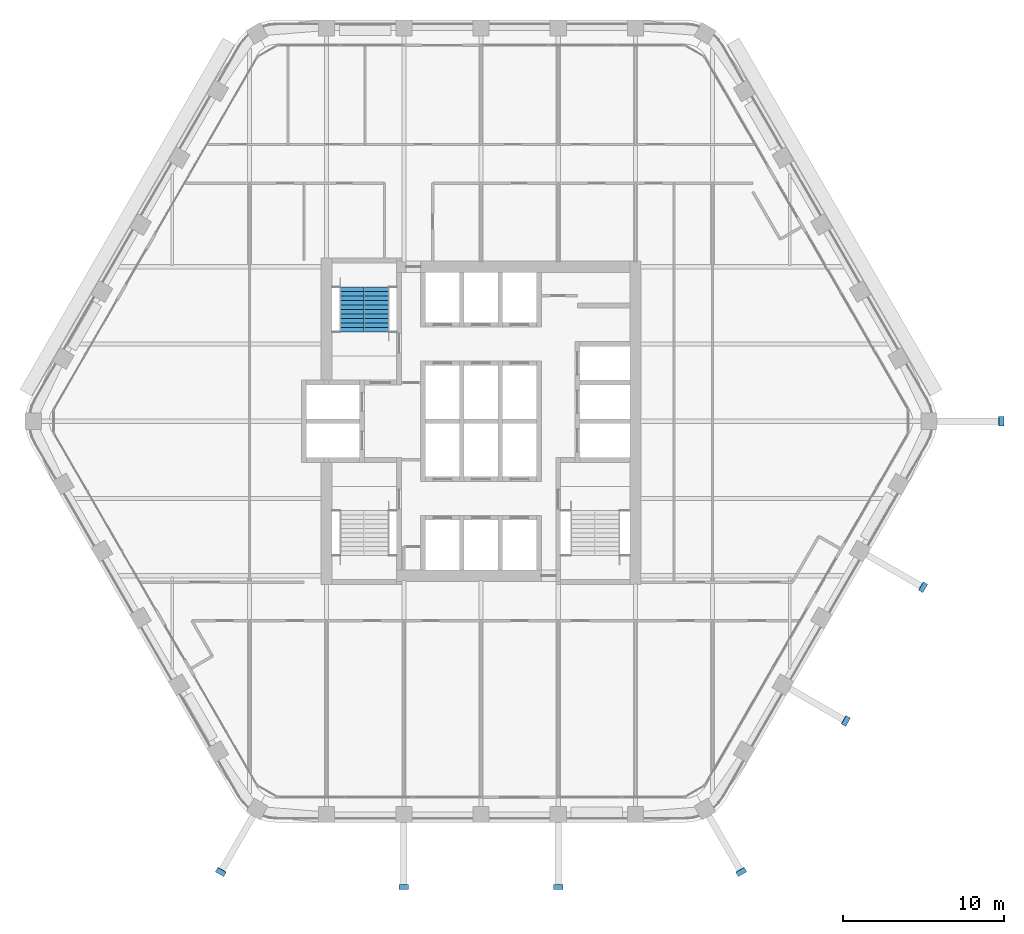
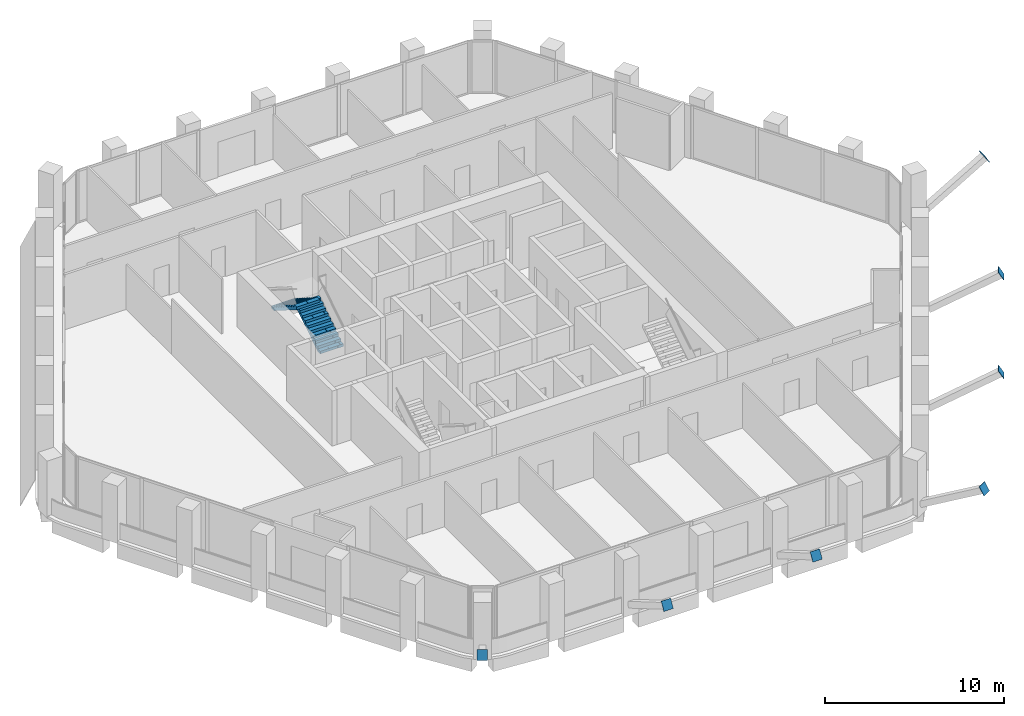
# One storey, part 14 of 16: 7 discrete accessories, 2 stair flights, 1 element without a shape of its own.
"""IFC4 building model written with IfcOpenShell, lengths in metres."""

from ifc_helpers import new_model, si_unit, direction, frame, origin, origin_2d, place, context, subcontext, project, spatial, polyline, rectangle, outline, extrude, material, type_object, element, aggregate, save


model = new_model("IFC4")

# Units and contexts
model_context = context("Model", 3, precision=1e-05, world=origin(), true_north=direction((0.0, 1.0)))
body_context = subcontext(model_context, "Body", "Model", "MODEL_VIEW")
ifc_project = project(units=[si_unit("LENGTHUNIT", "METRE"), si_unit("AREAUNIT", "SQUARE_METRE"), si_unit("VOLUMEUNIT", "CUBIC_METRE"), si_unit("PLANEANGLEUNIT", "RADIAN"), si_unit("MASSUNIT", "GRAM", prefix="KILO")], contexts=[model_context])

# Site, building, storey
site_placement = place(None, origin())
site = spatial("IfcSite", under=ifc_project, at=site_placement, CompositionType="ELEMENT")
building_placement = place(site_placement, origin())
building = spatial("IfcBuilding", under=site, at=building_placement, Name="Kolab Exchange Tower", CompositionType="ELEMENT")
storey_placement = place(building_placement, frame((0.0, 0.0, 193.39990234375)))
storey = spatial("IfcBuildingStorey", under=building, at=storey_placement, Name="L41", CompositionType="ELEMENT", Elevation=193.39990234375)

# Stair, stair flights
ifc_material = material(Name="Concrete C50/60", Category="concrete")
stair_type = type_object("IfcStairType", Name="STAIR ST1 RISER 177.3", PredefinedType="HALF_TURN_STAIR", material=ifc_material)
stair_placement = place(storey_placement, origin())
stair = element("IfcStair", 1, at=stair_placement, inside=storey, type_object=stair_type, Name="Stair 1", PredefinedType="HALF_TURN_STAIR")
stair_flight_type = type_object("IfcStairFlightType", Name="STAIR FLIGHT 1500 RISER 177.3", PredefinedType="STRAIGHT", material=ifc_material)
stair_flight_1_placement = place(storey_placement, frame((-6.489990234375, 5.550048828125, 0.0), z_axis=(0.0, 0.0, 1.0), x_axis=(0.0, 1.0, 0.0)))
stair_flight_1 = element("IfcStairFlight", 2, at=stair_flight_1_placement, type_object=stair_flight_type, Name="ST1 flight 1", NumberOfRisers=11, NumberOfTreads=10, PredefinedType="STRAIGHT", RiserHeight=0.177272727, TreadLength=0.28, context=body_context, shape_type="SweptSolid", body=[
    extrude(outline(polyline([(0.0, 0.0), (0.0, 0.17724609375), (0.280029296875, 0.17724609375), (0.280029296875, 0.3544921875), (0.56005859375, 0.3544921875), (0.56005859375, 0.53173828125), (0.840087890625, 0.53173828125), (0.840087890625, 0.708984375), (1.1201171875, 0.708984375), (1.1201171875, 0.886474609375), (1.39990234375, 0.886474609375), (1.39990234375, 1.063720703125), (1.679931640625, 1.063720703125), (1.679931640625, 1.240966796875), (1.9599609375, 1.240966796875), (1.9599609375, 1.418212890625), (2.239990234375, 1.418212890625), (2.239990234375, 1.595458984375), (2.52001953125, 1.595458984375), (2.52001953125, 1.772705078125), (2.800048828125, 1.772705078125), (2.800048828125, 1.949951171875), (2.800048828125, 1.59521484375), (0.2802734375, 0.0), (0.0, 0.0)])), frame((0.0, 0.75, 0.0), z_axis=(0.0, -1.0, 0.0), x_axis=(1.0, 0.0, 0.0)), (0.0, 0.0, 1.0), 0.185791015625),
    extrude(outline(polyline([(0.0, 0.0), (0.0, 0.17724609375), (0.280029296875, 0.17724609375), (0.280029296875, 0.3544921875), (0.56005859375, 0.3544921875), (0.56005859375, 0.53173828125), (0.840087890625, 0.53173828125), (0.840087890625, 0.708984375), (1.1201171875, 0.708984375), (1.1201171875, 0.886474609375), (1.39990234375, 0.886474609375), (1.39990234375, 1.063720703125), (1.679931640625, 1.063720703125), (1.679931640625, 1.240966796875), (1.9599609375, 1.240966796875), (1.9599609375, 1.418212890625), (2.239990234375, 1.418212890625), (2.239990234375, 1.595458984375), (2.52001953125, 1.595458984375), (2.52001953125, 1.772705078125), (2.800048828125, 1.772705078125), (2.800048828125, 1.949951171875), (2.800048828125, 1.59521484375), (0.2802734375, 0.0), (0.0, 0.0)])), frame((0.0, 0.562255859375, 0.0), z_axis=(0.0, -1.0, 0.0), x_axis=(1.0, 0.0, 0.0)), (0.0, 0.0, 1.0), 0.185791015625),
    extrude(outline(polyline([(0.0, 0.0), (0.0, 0.17724609375), (0.280029296875, 0.17724609375), (0.280029296875, 0.3544921875), (0.56005859375, 0.3544921875), (0.56005859375, 0.53173828125), (0.840087890625, 0.53173828125), (0.840087890625, 0.708984375), (1.1201171875, 0.708984375), (1.1201171875, 0.886474609375), (1.39990234375, 0.886474609375), (1.39990234375, 1.063720703125), (1.679931640625, 1.063720703125), (1.679931640625, 1.240966796875), (1.9599609375, 1.240966796875), (1.9599609375, 1.418212890625), (2.239990234375, 1.418212890625), (2.239990234375, 1.595458984375), (2.52001953125, 1.595458984375), (2.52001953125, 1.772705078125), (2.800048828125, 1.772705078125), (2.800048828125, 1.949951171875), (2.800048828125, 1.59521484375), (0.2802734375, 0.0), (0.0, 0.0)])), frame((0.0, 0.37451171875, 0.0), z_axis=(0.0, -1.0, 0.0), x_axis=(1.0, 0.0, 0.0)), (0.0, 0.0, 1.0), 0.185791015625),
    extrude(outline(polyline([(0.0, 0.0), (0.0, 0.17724609375), (0.280029296875, 0.17724609375), (0.280029296875, 0.3544921875), (0.56005859375, 0.3544921875), (0.56005859375, 0.53173828125), (0.840087890625, 0.53173828125), (0.840087890625, 0.708984375), (1.1201171875, 0.708984375), (1.1201171875, 0.886474609375), (1.39990234375, 0.886474609375), (1.39990234375, 1.063720703125), (1.679931640625, 1.063720703125), (1.679931640625, 1.240966796875), (1.9599609375, 1.240966796875), (1.9599609375, 1.418212890625), (2.239990234375, 1.418212890625), (2.239990234375, 1.595458984375), (2.52001953125, 1.595458984375), (2.52001953125, 1.772705078125), (2.800048828125, 1.772705078125), (2.800048828125, 1.949951171875), (2.800048828125, 1.59521484375), (0.2802734375, 0.0), (0.0, 0.0)])), frame((0.0, 0.186767578125, 0.0), z_axis=(0.0, -1.0, 0.0), x_axis=(1.0, 0.0, 0.0)), (0.0, 0.0, 1.0), 0.185791015625),
    extrude(outline(polyline([(0.0, 0.0), (0.0, 0.17724609375), (0.280029296875, 0.17724609375), (0.280029296875, 0.3544921875), (0.56005859375, 0.3544921875), (0.56005859375, 0.53173828125), (0.840087890625, 0.53173828125), (0.840087890625, 0.708984375), (1.1201171875, 0.708984375), (1.1201171875, 0.886474609375), (1.39990234375, 0.886474609375), (1.39990234375, 1.063720703125), (1.679931640625, 1.063720703125), (1.679931640625, 1.240966796875), (1.9599609375, 1.240966796875), (1.9599609375, 1.418212890625), (2.239990234375, 1.418212890625), (2.239990234375, 1.595458984375), (2.52001953125, 1.595458984375), (2.52001953125, 1.772705078125), (2.800048828125, 1.772705078125), (2.800048828125, 1.949951171875), (2.800048828125, 1.59521484375), (0.2802734375, 0.0), (0.0, 0.0)])), frame((0.0, -0.0009765625, 0.0), z_axis=(0.0, -1.0, 0.0), x_axis=(1.0, 0.0, 0.0)), (0.0, 0.0, 1.0), 0.185791015625),
    extrude(outline(polyline([(0.0, 0.0), (0.0, 0.17724609375), (0.280029296875, 0.17724609375), (0.280029296875, 0.3544921875), (0.56005859375, 0.3544921875), (0.56005859375, 0.53173828125), (0.840087890625, 0.53173828125), (0.840087890625, 0.708984375), (1.1201171875, 0.708984375), (1.1201171875, 0.886474609375), (1.39990234375, 0.886474609375), (1.39990234375, 1.063720703125), (1.679931640625, 1.063720703125), (1.679931640625, 1.240966796875), (1.9599609375, 1.240966796875), (1.9599609375, 1.418212890625), (2.239990234375, 1.418212890625), (2.239990234375, 1.595458984375), (2.52001953125, 1.595458984375), (2.52001953125, 1.772705078125), (2.800048828125, 1.772705078125), (2.800048828125, 1.949951171875), (2.800048828125, 1.59521484375), (0.2802734375, 0.0), (0.0, 0.0)])), frame((0.0, -0.188720703125, 0.0), z_axis=(0.0, -1.0, 0.0), x_axis=(1.0, 0.0, 0.0)), (0.0, 0.0, 1.0), 0.185791015625),
    extrude(outline(polyline([(0.0, 0.0), (0.0, 0.17724609375), (0.280029296875, 0.17724609375), (0.280029296875, 0.3544921875), (0.56005859375, 0.3544921875), (0.56005859375, 0.53173828125), (0.840087890625, 0.53173828125), (0.840087890625, 0.708984375), (1.1201171875, 0.708984375), (1.1201171875, 0.886474609375), (1.39990234375, 0.886474609375), (1.39990234375, 1.063720703125), (1.679931640625, 1.063720703125), (1.679931640625, 1.240966796875), (1.9599609375, 1.240966796875), (1.9599609375, 1.418212890625), (2.239990234375, 1.418212890625), (2.239990234375, 1.595458984375), (2.52001953125, 1.595458984375), (2.52001953125, 1.772705078125), (2.800048828125, 1.772705078125), (2.800048828125, 1.949951171875), (2.800048828125, 1.59521484375), (0.2802734375, 0.0), (0.0, 0.0)])), frame((0.0, -0.37646484375, 0.0), z_axis=(0.0, -1.0, 0.0), x_axis=(1.0, 0.0, 0.0)), (0.0, 0.0, 1.0), 0.185791015625),
    extrude(outline(polyline([(0.0, 0.0), (0.0, 0.17724609375), (0.280029296875, 0.17724609375), (0.280029296875, 0.3544921875), (0.56005859375, 0.3544921875), (0.56005859375, 0.53173828125), (0.840087890625, 0.53173828125), (0.840087890625, 0.708984375), (1.1201171875, 0.708984375), (1.1201171875, 0.886474609375), (1.39990234375, 0.886474609375), (1.39990234375, 1.063720703125), (1.679931640625, 1.063720703125), (1.679931640625, 1.240966796875), (1.9599609375, 1.240966796875), (1.9599609375, 1.418212890625), (2.239990234375, 1.418212890625), (2.239990234375, 1.595458984375), (2.52001953125, 1.595458984375), (2.52001953125, 1.772705078125), (2.800048828125, 1.772705078125), (2.800048828125, 1.949951171875), (2.800048828125, 1.59521484375), (0.2802734375, 0.0), (0.0, 0.0)])), frame((0.0, -0.564208984375, 0.0), z_axis=(0.0, -1.0, 0.0), x_axis=(1.0, 0.0, 0.0)), (0.0, 0.0, 1.0), 0.185791015625),
])
stair_flight_2_placement = place(storey_placement, frame((-8.010009765625, 8.35009765625, 1.9501953125), z_axis=(0.0, 0.0, 1.0), x_axis=(0.0, -1.0, 0.0)))
stair_flight_2 = element("IfcStairFlight", 3, at=stair_flight_2_placement, type_object=stair_flight_type, Name="ST1 flight 2", NumberOfRisers=11, NumberOfTreads=10, PredefinedType="STRAIGHT", RiserHeight=0.177272727, TreadLength=0.28, context=body_context, shape_type="SweptSolid", body=[
    extrude(outline(polyline([(0.0, 0.0), (0.0, 0.17724609375), (0.280029296875, 0.17724609375), (0.280029296875, 0.3544921875), (0.56005859375, 0.3544921875), (0.56005859375, 0.53173828125), (0.840087890625, 0.53173828125), (0.840087890625, 0.708984375), (1.1201171875, 0.708984375), (1.1201171875, 0.886474609375), (1.39990234375, 0.886474609375), (1.39990234375, 1.063720703125), (1.679931640625, 1.063720703125), (1.679931640625, 1.240966796875), (1.9599609375, 1.240966796875), (1.9599609375, 1.418212890625), (2.239990234375, 1.418212890625), (2.239990234375, 1.595458984375), (2.52001953125, 1.595458984375), (2.52001953125, 1.772705078125), (2.800048828125, 1.772705078125), (2.800048828125, 1.949951171875), (2.800048828125, 1.59521484375), (0.2802734375, 0.0), (0.0, 0.0)])), frame((0.0, 0.75, 0.0), z_axis=(0.0, -1.0, 0.0), x_axis=(1.0, 0.0, 0.0)), (0.0, 0.0, 1.0), 0.185791015625),
    extrude(outline(polyline([(0.0, 0.0), (0.0, 0.17724609375), (0.280029296875, 0.17724609375), (0.280029296875, 0.3544921875), (0.56005859375, 0.3544921875), (0.56005859375, 0.53173828125), (0.840087890625, 0.53173828125), (0.840087890625, 0.708984375), (1.1201171875, 0.708984375), (1.1201171875, 0.886474609375), (1.39990234375, 0.886474609375), (1.39990234375, 1.063720703125), (1.679931640625, 1.063720703125), (1.679931640625, 1.240966796875), (1.9599609375, 1.240966796875), (1.9599609375, 1.418212890625), (2.239990234375, 1.418212890625), (2.239990234375, 1.595458984375), (2.52001953125, 1.595458984375), (2.52001953125, 1.772705078125), (2.800048828125, 1.772705078125), (2.800048828125, 1.949951171875), (2.800048828125, 1.59521484375), (0.2802734375, 0.0), (0.0, 0.0)])), frame((0.0, 0.562255859375, 0.0), z_axis=(0.0, -1.0, 0.0), x_axis=(1.0, 0.0, 0.0)), (0.0, 0.0, 1.0), 0.185791015625),
    extrude(outline(polyline([(0.0, 0.0), (0.0, 0.17724609375), (0.280029296875, 0.17724609375), (0.280029296875, 0.3544921875), (0.56005859375, 0.3544921875), (0.56005859375, 0.53173828125), (0.840087890625, 0.53173828125), (0.840087890625, 0.708984375), (1.1201171875, 0.708984375), (1.1201171875, 0.886474609375), (1.39990234375, 0.886474609375), (1.39990234375, 1.063720703125), (1.679931640625, 1.063720703125), (1.679931640625, 1.240966796875), (1.9599609375, 1.240966796875), (1.9599609375, 1.418212890625), (2.239990234375, 1.418212890625), (2.239990234375, 1.595458984375), (2.52001953125, 1.595458984375), (2.52001953125, 1.772705078125), (2.800048828125, 1.772705078125), (2.800048828125, 1.949951171875), (2.800048828125, 1.59521484375), (0.2802734375, 0.0), (0.0, 0.0)])), frame((0.0, 0.37451171875, 0.0), z_axis=(0.0, -1.0, 0.0), x_axis=(1.0, 0.0, 0.0)), (0.0, 0.0, 1.0), 0.185791015625),
    extrude(outline(polyline([(0.0, 0.0), (0.0, 0.17724609375), (0.280029296875, 0.17724609375), (0.280029296875, 0.3544921875), (0.56005859375, 0.3544921875), (0.56005859375, 0.53173828125), (0.840087890625, 0.53173828125), (0.840087890625, 0.708984375), (1.1201171875, 0.708984375), (1.1201171875, 0.886474609375), (1.39990234375, 0.886474609375), (1.39990234375, 1.063720703125), (1.679931640625, 1.063720703125), (1.679931640625, 1.240966796875), (1.9599609375, 1.240966796875), (1.9599609375, 1.418212890625), (2.239990234375, 1.418212890625), (2.239990234375, 1.595458984375), (2.52001953125, 1.595458984375), (2.52001953125, 1.772705078125), (2.800048828125, 1.772705078125), (2.800048828125, 1.949951171875), (2.800048828125, 1.59521484375), (0.2802734375, 0.0), (0.0, 0.0)])), frame((0.0, 0.186767578125, 0.0), z_axis=(0.0, -1.0, 0.0), x_axis=(1.0, 0.0, 0.0)), (0.0, 0.0, 1.0), 0.185791015625),
    extrude(outline(polyline([(0.0, 0.0), (0.0, 0.17724609375), (0.280029296875, 0.17724609375), (0.280029296875, 0.3544921875), (0.56005859375, 0.3544921875), (0.56005859375, 0.53173828125), (0.840087890625, 0.53173828125), (0.840087890625, 0.708984375), (1.1201171875, 0.708984375), (1.1201171875, 0.886474609375), (1.39990234375, 0.886474609375), (1.39990234375, 1.063720703125), (1.679931640625, 1.063720703125), (1.679931640625, 1.240966796875), (1.9599609375, 1.240966796875), (1.9599609375, 1.418212890625), (2.239990234375, 1.418212890625), (2.239990234375, 1.595458984375), (2.52001953125, 1.595458984375), (2.52001953125, 1.772705078125), (2.800048828125, 1.772705078125), (2.800048828125, 1.949951171875), (2.800048828125, 1.59521484375), (0.2802734375, 0.0), (0.0, 0.0)])), frame((0.0, -0.0009765625, 0.0), z_axis=(0.0, -1.0, 0.0), x_axis=(1.0, 0.0, 0.0)), (0.0, 0.0, 1.0), 0.185791015625),
    extrude(outline(polyline([(0.0, 0.0), (0.0, 0.17724609375), (0.280029296875, 0.17724609375), (0.280029296875, 0.3544921875), (0.56005859375, 0.3544921875), (0.56005859375, 0.53173828125), (0.840087890625, 0.53173828125), (0.840087890625, 0.708984375), (1.1201171875, 0.708984375), (1.1201171875, 0.886474609375), (1.39990234375, 0.886474609375), (1.39990234375, 1.063720703125), (1.679931640625, 1.063720703125), (1.679931640625, 1.240966796875), (1.9599609375, 1.240966796875), (1.9599609375, 1.418212890625), (2.239990234375, 1.418212890625), (2.239990234375, 1.595458984375), (2.52001953125, 1.595458984375), (2.52001953125, 1.772705078125), (2.800048828125, 1.772705078125), (2.800048828125, 1.949951171875), (2.800048828125, 1.59521484375), (0.2802734375, 0.0), (0.0, 0.0)])), frame((0.0, -0.188720703125, 0.0), z_axis=(0.0, -1.0, 0.0), x_axis=(1.0, 0.0, 0.0)), (0.0, 0.0, 1.0), 0.185791015625),
    extrude(outline(polyline([(0.0, 0.0), (0.0, 0.17724609375), (0.280029296875, 0.17724609375), (0.280029296875, 0.3544921875), (0.56005859375, 0.3544921875), (0.56005859375, 0.53173828125), (0.840087890625, 0.53173828125), (0.840087890625, 0.708984375), (1.1201171875, 0.708984375), (1.1201171875, 0.886474609375), (1.39990234375, 0.886474609375), (1.39990234375, 1.063720703125), (1.679931640625, 1.063720703125), (1.679931640625, 1.240966796875), (1.9599609375, 1.240966796875), (1.9599609375, 1.418212890625), (2.239990234375, 1.418212890625), (2.239990234375, 1.595458984375), (2.52001953125, 1.595458984375), (2.52001953125, 1.772705078125), (2.800048828125, 1.772705078125), (2.800048828125, 1.949951171875), (2.800048828125, 1.59521484375), (0.2802734375, 0.0), (0.0, 0.0)])), frame((0.0, -0.37646484375, 0.0), z_axis=(0.0, -1.0, 0.0), x_axis=(1.0, 0.0, 0.0)), (0.0, 0.0, 1.0), 0.185791015625),
    extrude(outline(polyline([(0.0, 0.0), (0.0, 0.17724609375), (0.280029296875, 0.17724609375), (0.280029296875, 0.3544921875), (0.56005859375, 0.3544921875), (0.56005859375, 0.53173828125), (0.840087890625, 0.53173828125), (0.840087890625, 0.708984375), (1.1201171875, 0.708984375), (1.1201171875, 0.886474609375), (1.39990234375, 0.886474609375), (1.39990234375, 1.063720703125), (1.679931640625, 1.063720703125), (1.679931640625, 1.240966796875), (1.9599609375, 1.240966796875), (1.9599609375, 1.418212890625), (2.239990234375, 1.418212890625), (2.239990234375, 1.595458984375), (2.52001953125, 1.595458984375), (2.52001953125, 1.772705078125), (2.800048828125, 1.772705078125), (2.800048828125, 1.949951171875), (2.800048828125, 1.59521484375), (0.2802734375, 0.0), (0.0, 0.0)])), frame((0.0, -0.564208984375, 0.0), z_axis=(0.0, -1.0, 0.0), x_axis=(1.0, 0.0, 0.0)), (0.0, 0.0, 1.0), 0.185791015625),
])
aggregate(stair, [stair_flight_1, stair_flight_2])

# Discrete accessories
discrete_accessory_placement = place(storey_placement, frame((32.3359375, 0.0, 2.968017578125), z_axis=(0.860926528214, 0.0, 0.508729312127), x_axis=(0.0, 1.0, 0.0)))
element("IfcDiscreteAccessory", 4, at=discrete_accessory_placement, inside=storey, Name="Gusset plate", ObjectType="GUSSET PLATE", PredefinedType="USERDEFINED", context=body_context, shape_type="SweptSolid", body=[
    extrude(rectangle(XDim=0.60009765625, YDim=0.60009765625, at=origin_2d()), origin(), (0.0, 0.0, 1.0), 0.02490234375),
])
for number, where, z_axis, x_axis, name in (
    (5, (27.464111328125, -10.313720703125, 2.968017578125), (0.745852358238, -0.435887741827, 0.503692501667), (0.504568019295, 0.863371944127, 0.0), "Gusset plate"),
    (6, (22.6640625, -18.627685546875, 2.968017578125), (0.748986131505, -0.427992075146, 0.505808816081), (0.496138938357, 0.868243142124, 0.0), "Gusset plate"),
    (7, (16.16796875, -28.003662109375, 2.968017578125), (0.427992075146, -0.748986131505, 0.505808816081), (0.868243142124, 0.496138938357, 0.0), "Gusset plate"),
    (8, (4.800048828125, -28.94140625, 2.968017578125), (0.0, -0.863426825129, 0.504474100076), (1.0, 0.0, 0.0), "Gusset plate"),
    (9, (-4.800048828125, -28.94140625, 2.968017578125), (0.0, -0.863426825129, 0.504474100076), (1.0, 0.0, 0.0), "Gusset plate"),
    (10, (-16.16796875, -28.003662109375, 2.968017578125), (-0.427992075146, -0.748986131505, 0.505808816081), (0.868243142124, -0.496138938357, 0.0), "Gusset plate"),
):
    element("IfcDiscreteAccessory", number, at=place(storey_placement, frame(where, z_axis=z_axis, x_axis=x_axis)), inside=storey, Name=name, ObjectType="GUSSET PLATE", PredefinedType="USERDEFINED", context=body_context, shape_type="SweptSolid", body=[
        extrude(rectangle(XDim=0.60009765625, YDim=0.60009765625, at=origin_2d()), origin(), (0.0, 0.0, 1.0), 0.025146484375),
    ])

save(model, "model.ifc")
